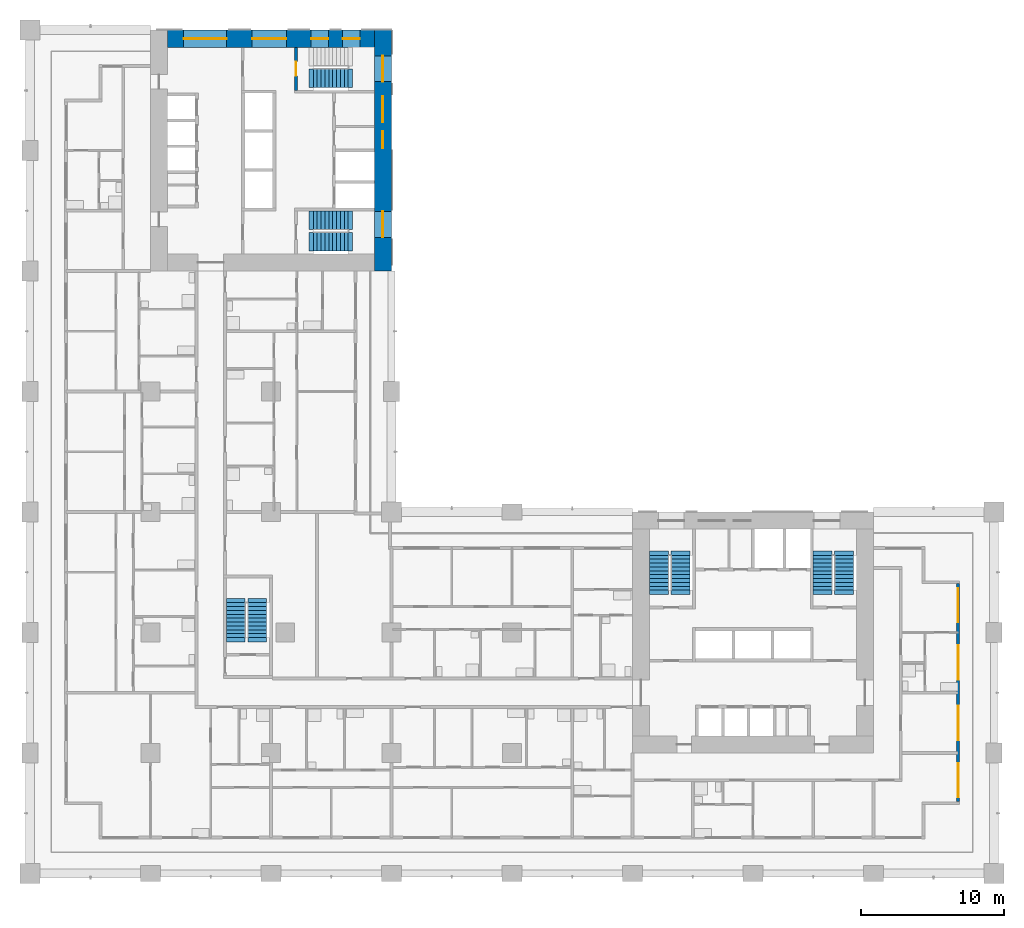
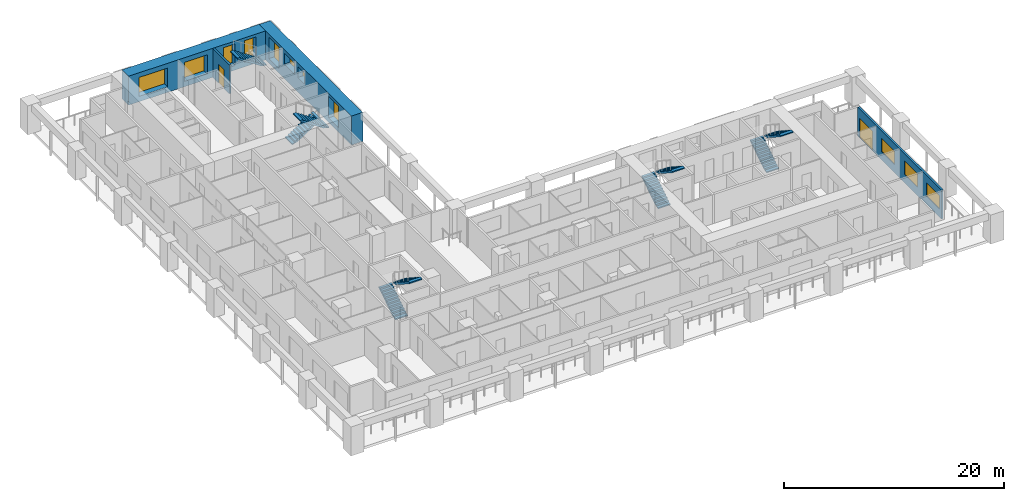
# One storey, part 10 of 19: 11 windows, 9 stair flights, 4 walls, 2 doors, 13 openings, 5 elements without a shape of their own.
"""IFC4 building model written with IfcOpenShell, lengths in metres."""

from ifc_helpers import new_model, si_unit, direction, frame, frame_2d, origin, place, context, subcontext, project, spatial, polyline, rectangle, outline, extrude, material, layer, layer_set, type_object, element, fill, aggregate, save


model = new_model("IFC4")

# Units and contexts
model_context = context("Model", 3, precision=1e-05, world=origin(), true_north=direction((0.0, 1.0)))
body_context = subcontext(model_context, "Body", "Model", "MODEL_VIEW")
ifc_project = project(units=[si_unit("LENGTHUNIT", "METRE"), si_unit("AREAUNIT", "SQUARE_METRE"), si_unit("VOLUMEUNIT", "CUBIC_METRE"), si_unit("PLANEANGLEUNIT", "RADIAN"), si_unit("MASSUNIT", "GRAM", prefix="KILO")], contexts=[model_context])

# Site, building, storey
site_placement = place(None, origin())
site = spatial("IfcSite", under=ifc_project, at=site_placement, CompositionType="ELEMENT")
building_placement = place(site_placement, origin())
building = spatial("IfcBuilding", under=site, at=building_placement, Name="Vermilion Gate Residences", CompositionType="ELEMENT")
storey_placement = place(building_placement, frame((0.0, 0.0, 46.199951171875)))
storey = spatial("IfcBuildingStorey", under=building, at=storey_placement, Name="L10", CompositionType="ELEMENT", Elevation=46.199951171875)

# Wall, openings, door, windows
ifc_material_1 = material(Name="Insulated steel stud wall with terracotta rainscreen", Category="masonry")
ifc_layer_1 = layer(ifc_material_1, 0.199951171875)
ifc_layer_set_1 = layer_set([ifc_layer_1], Name="EXTERNAL WALL 200 TERRACOTTA RAINSCREEN")
wall_type_1 = type_object("IfcWallType", Name="EXTERNAL WALL 200 TERRACOTTA RAINSCREEN", PredefinedType="SOLIDWALL", material=ifc_layer_set_1)
wall_1_placement = place(storey_placement, frame((64.699951171875, 5.0, 0.0), z_axis=(0.0, 0.0, 1.0), x_axis=(0.0, 1.0, 0.0)))
wall_1 = element("IfcWall", 1, at=wall_1_placement, inside=storey, type_object=wall_type_1, Name="External wall", PredefinedType="SOLIDWALL", context=body_context, shape_type="SweptSolid", body=[
    extrude(rectangle(XDim=15.199951171875, YDim=0.199951171875, at=frame_2d((7.60009765625, 0.0))), origin(), (0.0, 0.0, 1.0), 3.219970703125),
])
opening_1_placement = place(wall_1_placement, frame((0.300048828125, 0.0, 0.89990234375)))
opening_1 = element("IfcOpeningElement", 2, at=opening_1_placement, cuts=wall_1, Name="Opening WE10028", PredefinedType="OPENING", context=body_context, shape_type="SweptSolid", body=[
    extrude(rectangle(XDim=2.39990234375, YDim=1.5, at=frame_2d((1.199951171875, 0.75))), frame((0.0, 0.10986328125, 0.0), z_axis=(0.0, -1.0, 0.0), x_axis=(1.0, 0.0, 0.0)), (0.0, 0.0, 1.0), 0.219970703125),
])
opening_2_placement = place(wall_1_placement, frame((4.300048828125, 0.0, 0.89990234375)))
opening_2 = element("IfcOpeningElement", 3, at=opening_2_placement, cuts=wall_1, Name="Opening WE10029", PredefinedType="OPENING", context=body_context, shape_type="SweptSolid", body=[
    extrude(rectangle(XDim=2.39990234375, YDim=1.5, at=frame_2d((1.199951171875, 0.75))), frame((0.0, 0.10986328125, 0.0), z_axis=(0.0, -1.0, 0.0), x_axis=(1.0, 0.0, 0.0)), (0.0, 0.0, 1.0), 0.219970703125),
])
opening_3_placement = place(wall_1_placement, frame((8.5, 0.0, 0.89990234375)))
opening_3 = element("IfcOpeningElement", 4, at=opening_3_placement, cuts=wall_1, Name="Opening WE10030", PredefinedType="OPENING", context=body_context, shape_type="SweptSolid", body=[
    extrude(rectangle(XDim=2.39990234375, YDim=1.5, at=frame_2d((1.199951171875, 0.75))), frame((0.0, 0.10986328125, 0.0), z_axis=(0.0, -1.0, 0.0), x_axis=(1.0, 0.0, 0.0)), (0.0, 0.0, 1.0), 0.219970703125),
])
opening_4_placement = place(wall_1_placement, frame((12.5, 0.0, 0.0)))
opening_4 = element("IfcOpeningElement", 5, at=opening_4_placement, cuts=wall_1, Name="Opening DE10031", PredefinedType="OPENING", context=body_context, shape_type="SweptSolid", body=[
    extrude(rectangle(XDim=2.39990234375, YDim=2.199951171875, at=frame_2d((1.199951171875, 1.10009765625))), frame((0.0, 0.10986328125, 0.0), z_axis=(0.0, -1.0, 0.0), x_axis=(1.0, 0.0, 0.0)), (0.0, 0.0, 1.0), 0.219970703125),
])
ifc_material_2 = material(Name="Aluminium and clear glass", Category="aluminium")
door_type_1 = type_object("IfcDoorType", Name="SLIDING GLAZED DOOR 2400 X 2200", OperationType="DOUBLE_DOOR_SLIDING", PredefinedType="DOOR", material=ifc_material_2)
door_1_placement = place(opening_4_placement, origin())
door_1 = element("IfcDoor", 6, at=door_1_placement, inside=storey, type_object=door_type_1, Name="Loggia sliding door", OperationType="DOUBLE_DOOR_SLIDING", OverallHeight=2.199951171875, OverallWidth=2.39990234375, PredefinedType="DOOR", context=body_context, shape_type="SweptSolid", body=[
    extrude(rectangle(XDim=2.39990234375, YDim=2.199951171875, at=frame_2d((1.199951171875, 1.10009765625))), frame((0.0, 0.02490234375, 0.0), z_axis=(0.0, -1.0, 0.0), x_axis=(1.0, 0.0, 0.0)), (0.0, 0.0, 1.0), 0.050048828125),
])
fill(opening_4, door_1)
ifc_material_3 = material(Name="Aluminium and clear glass", Category="aluminium")
window_type_1 = type_object("IfcWindowType", Name="WINDOW 2400 X 1500", PartitioningType="SINGLE_PANEL", PredefinedType="WINDOW", material=ifc_material_3)
window_1_placement = place(opening_1_placement, origin())
window_1 = element("IfcWindow", 7, at=window_1_placement, inside=storey, type_object=window_type_1, Name="Window", OverallHeight=1.5, OverallWidth=2.39990234375, PartitioningType="SINGLE_PANEL", PredefinedType="WINDOW", context=body_context, shape_type="SweptSolid", body=[
    extrude(rectangle(XDim=2.39990234375, YDim=1.5, at=frame_2d((1.199951171875, 0.75))), frame((0.0, 0.030029296875, 0.0), z_axis=(0.0, -1.0, 0.0), x_axis=(1.0, 0.0, 0.0)), (0.0, 0.0, 1.0), 0.06005859375),
])
fill(opening_1, window_1)
window_2_placement = place(opening_2_placement, origin())
window_2 = element("IfcWindow", 8, at=window_2_placement, inside=storey, type_object=window_type_1, Name="Window", OverallHeight=1.5, OverallWidth=2.39990234375, PartitioningType="SINGLE_PANEL", PredefinedType="WINDOW", context=body_context, shape_type="SweptSolid", body=[
    extrude(rectangle(XDim=2.39990234375, YDim=1.5, at=frame_2d((1.199951171875, 0.75))), frame((0.0, 0.030029296875, 0.0), z_axis=(0.0, -1.0, 0.0), x_axis=(1.0, 0.0, 0.0)), (0.0, 0.0, 1.0), 0.06005859375),
])
fill(opening_2, window_2)
window_3_placement = place(opening_3_placement, origin())
window_3 = element("IfcWindow", 9, at=window_3_placement, inside=storey, type_object=window_type_1, Name="Window", OverallHeight=1.5, OverallWidth=2.39990234375, PartitioningType="SINGLE_PANEL", PredefinedType="WINDOW", context=body_context, shape_type="SweptSolid", body=[
    extrude(rectangle(XDim=2.39990234375, YDim=1.5, at=frame_2d((1.199951171875, 0.75))), frame((0.0, 0.030029296875, 0.0), z_axis=(0.0, -1.0, 0.0), x_axis=(1.0, 0.0, 0.0)), (0.0, 0.0, 1.0), 0.06005859375),
])
fill(opening_3, window_3)

# Wall, opening, door
ifc_material_4 = material(Name="Concrete C60", Category="concrete")
ifc_layer_2 = layer(ifc_material_4, 0.199951171875)
ifc_layer_set_2 = layer_set([ifc_layer_2], Name="RC CORE INTERNAL WALL 200 C60")
wall_type_2 = type_object("IfcWallType", Name="RC CORE INTERNAL WALL 200 C60", PredefinedType="SHEAR", material=ifc_layer_set_2)
wall_2_placement = place(storey_placement, frame((18.550048828125, 57.60009765625, 0.0), z_axis=(0.0, 0.0, 1.0), x_axis=(0.0, -1.0, 0.0)))
wall_2 = element("IfcWall", 10, at=wall_2_placement, inside=storey, type_object=wall_type_2, Name="Core internal wall B10-STW-S", PredefinedType="SHEAR", context=body_context, shape_type="SweptSolid", body=[
    extrude(rectangle(XDim=3.0, YDim=0.199951171875, at=frame_2d((1.5, 0.0))), origin(), (0.0, 0.0, 1.0), 3.219970703125),
])
opening_5_placement = place(wall_2_placement, frame((1.0, 0.0, 0.0)))
opening_5 = element("IfcOpeningElement", 11, at=opening_5_placement, cuts=wall_2, Name="Opening DK10114", PredefinedType="OPENING", context=body_context, shape_type="SweptSolid", body=[
    extrude(rectangle(XDim=1.0, YDim=2.10009765625, at=frame_2d((0.5, 1.050048828125))), frame((0.0, 0.10986328125, 0.0), z_axis=(0.0, -1.0, 0.0), x_axis=(1.0, 0.0, 0.0)), (0.0, 0.0, 1.0), 0.219970703125),
])
ifc_material_5 = material(Name="Steel", Category="steel")
door_type_2 = type_object("IfcDoorType", Name="FIRE DOOR FD60 1000 X 2100", OperationType="SINGLE_SWING_LEFT", PredefinedType="DOOR", material=ifc_material_5)
door_2_placement = place(opening_5_placement, origin())
door_2 = element("IfcDoor", 12, at=door_2_placement, inside=storey, type_object=door_type_2, Name="Stair door B10", OperationType="SINGLE_SWING_LEFT", OverallHeight=2.10009765625, OverallWidth=1.0, PredefinedType="DOOR", context=body_context, shape_type="SweptSolid", body=[
    extrude(rectangle(XDim=1.0, YDim=2.10009765625, at=frame_2d((0.5, 1.050048828125))), frame((0.0, 0.02490234375, 0.0), z_axis=(0.0, -1.0, 0.0), x_axis=(1.0, 0.0, 0.0)), (0.0, 0.0, 1.0), 0.050048828125),
])
fill(opening_5, door_2)

# Wall, openings, windows
ifc_material_6 = material(Name="Concrete C80 red-oxide pigmented", Category="concrete")
ifc_layer_3 = layer(ifc_material_6, 1.199951171875)
ifc_layer_set_3 = layer_set([ifc_layer_3], Name="RC CORE WALL 1200 C80 RED OXIDE")
wall_type_3 = type_object("IfcWallType", Name="RC CORE WALL 1200 C80 RED OXIDE", PredefinedType="SHEAR", material=ifc_layer_set_3)
wall_3_placement = place(storey_placement, frame((24.60009765625, 58.800048828125, 0.0), z_axis=(0.0, 0.0, 1.0), x_axis=(0.0, -1.0, 0.0)))
wall_3 = element("IfcWall", 13, at=wall_3_placement, inside=storey, type_object=wall_type_3, Name="Core wall B10-OUT-B1", PredefinedType="SHEAR", context=body_context, shape_type="SweptSolid", body=[
    extrude(rectangle(XDim=16.800048828125, YDim=1.199951171875, at=frame_2d((8.39990234375, 0.0))), origin(), (0.0, 0.0, 1.0), 3.219970703125),
])
opening_6_placement = place(wall_3_placement, frame((1.800048828125, 0.0, 0.5)))
opening_6 = element("IfcOpeningElement", 14, at=opening_6_placement, cuts=wall_3, Name="Opening WKB1001", PredefinedType="OPENING", context=body_context, shape_type="SweptSolid", body=[
    extrude(rectangle(XDim=1.800048828125, YDim=2.39990234375, at=frame_2d((0.89990234375, 1.199951171875))), frame((0.0, 0.60986328125, 0.0), z_axis=(0.0, -1.0, 0.0), x_axis=(1.0, 0.0, 0.0)), (0.0, 0.0, 1.0), 1.219970703125),
])
opening_7_placement = place(wall_3_placement, frame((4.625, 0.0, 1.60009765625)))
opening_7 = element("IfcOpeningElement", 15, at=opening_7_placement, cuts=wall_3, Name="Opening WKB1002", PredefinedType="OPENING", context=body_context, shape_type="SweptSolid", body=[
    extrude(rectangle(XDim=1.800048828125, YDim=1.199951171875, at=frame_2d((0.89990234375, 0.60009765625))), frame((0.0, 0.60986328125, 0.0), z_axis=(0.0, -1.0, 0.0), x_axis=(1.0, 0.0, 0.0)), (0.0, 0.0, 1.0), 1.219970703125),
])
opening_8_placement = place(wall_3_placement, frame((7.050048828125, 0.0, 1.60009765625)))
opening_8 = element("IfcOpeningElement", 16, at=opening_8_placement, cuts=wall_3, Name="Opening WKB1003", PredefinedType="OPENING", context=body_context, shape_type="SweptSolid", body=[
    extrude(rectangle(XDim=1.199951171875, YDim=1.199951171875, at=frame_2d((0.60009765625, 0.60009765625))), frame((0.0, 0.60986328125, 0.0), z_axis=(0.0, -1.0, 0.0), x_axis=(1.0, 0.0, 0.0)), (0.0, 0.0, 1.0), 1.219970703125),
])
opening_9_placement = place(wall_3_placement, frame((12.64990234375, 0.0, 0.5)))
opening_9 = element("IfcOpeningElement", 17, at=opening_9_placement, cuts=wall_3, Name="Opening WKB1004", PredefinedType="OPENING", context=body_context, shape_type="SweptSolid", body=[
    extrude(rectangle(XDim=1.800048828125, YDim=2.39990234375, at=frame_2d((0.89990234375, 1.199951171875))), frame((0.0, 0.60986328125, 0.0), z_axis=(0.0, -1.0, 0.0), x_axis=(1.0, 0.0, 0.0)), (0.0, 0.0, 1.0), 1.219970703125),
])
ifc_material_7 = material(Name="Aluminium frame with louvre blades", Category="aluminium")
window_type_2 = type_object("IfcWindowType", Name="CORE LOUVRE 1200 X 1200", PartitioningType="SINGLE_PANEL", PredefinedType="WINDOW", material=ifc_material_7)
window_4_placement = place(opening_8_placement, origin())
window_4 = element("IfcWindow", 18, at=window_4_placement, inside=storey, type_object=window_type_2, Name="Core louvre", OverallHeight=1.199951171875, OverallWidth=1.199951171875, PartitioningType="SINGLE_PANEL", PredefinedType="WINDOW", context=body_context, shape_type="SweptSolid", body=[
    extrude(rectangle(XDim=1.199951171875, YDim=1.199951171875, at=frame_2d((0.60009765625, 0.60009765625))), frame((0.0, 0.030029296875, 0.0), z_axis=(0.0, -1.0, 0.0), x_axis=(1.0, 0.0, 0.0)), (0.0, 0.0, 1.0), 0.06005859375),
])
fill(opening_8, window_4)
ifc_material_8 = material(Name="Aluminium frame with louvre blades", Category="aluminium")
window_type_3 = type_object("IfcWindowType", Name="CORE LOUVRE 1800 X 1200", PartitioningType="SINGLE_PANEL", PredefinedType="WINDOW", material=ifc_material_8)
window_5_placement = place(opening_7_placement, origin())
window_5 = element("IfcWindow", 19, at=window_5_placement, inside=storey, type_object=window_type_3, Name="Core louvre", OverallHeight=1.199951171875, OverallWidth=1.800048828125, PartitioningType="SINGLE_PANEL", PredefinedType="WINDOW", context=body_context, shape_type="SweptSolid", body=[
    extrude(rectangle(XDim=1.800048828125, YDim=1.199951171875, at=frame_2d((0.89990234375, 0.60009765625))), frame((0.0, 0.030029296875, 0.0), z_axis=(0.0, -1.0, 0.0), x_axis=(1.0, 0.0, 0.0)), (0.0, 0.0, 1.0), 0.06005859375),
])
fill(opening_7, window_5)
ifc_material_9 = material(Name="Aluminium and clear glass", Category="aluminium")
window_type_4 = type_object("IfcWindowType", Name="CORE STAIR WINDOW 1800 X 2400", PartitioningType="SINGLE_PANEL", PredefinedType="WINDOW", material=ifc_material_9)
window_6_placement = place(opening_6_placement, origin())
window_6 = element("IfcWindow", 20, at=window_6_placement, inside=storey, type_object=window_type_4, Name="Core stair window", OverallHeight=2.39990234375, OverallWidth=1.800048828125, PartitioningType="SINGLE_PANEL", PredefinedType="WINDOW", context=body_context, shape_type="SweptSolid", body=[
    extrude(rectangle(XDim=1.800048828125, YDim=2.39990234375, at=frame_2d((0.89990234375, 1.199951171875))), frame((0.0, 0.030029296875, 0.0), z_axis=(0.0, -1.0, 0.0), x_axis=(1.0, 0.0, 0.0)), (0.0, 0.0, 1.0), 0.06005859375),
])
fill(opening_6, window_6)
window_7_placement = place(opening_9_placement, origin())
window_7 = element("IfcWindow", 21, at=window_7_placement, inside=storey, type_object=window_type_4, Name="Core stair window", OverallHeight=2.39990234375, OverallWidth=1.800048828125, PartitioningType="SINGLE_PANEL", PredefinedType="WINDOW", context=body_context, shape_type="SweptSolid", body=[
    extrude(rectangle(XDim=1.800048828125, YDim=2.39990234375, at=frame_2d((0.89990234375, 1.199951171875))), frame((0.0, 0.030029296875, 0.0), z_axis=(0.0, -1.0, 0.0), x_axis=(1.0, 0.0, 0.0)), (0.0, 0.0, 1.0), 0.06005859375),
])
fill(opening_9, window_7)

wall_4_placement = place(storey_placement, frame((9.60009765625, 58.199951171875, 0.0), z_axis=(0.0, 0.0, 1.0), x_axis=(1.0, 0.0, 0.0)))
wall_4 = element("IfcWall", 22, at=wall_4_placement, inside=storey, type_object=wall_type_3, Name="Core wall B10-OUT-FR", PredefinedType="SHEAR", context=body_context, shape_type="SweptSolid", body=[
    extrude(rectangle(XDim=14.39990234375, YDim=1.199951171875, at=frame_2d((7.199951171875, 0.0))), origin(), (0.0, 0.0, 1.0), 3.219970703125),
])
opening_10_placement = place(wall_4_placement, frame((1.10498046875, 0.0, 0.60009765625)))
opening_10 = element("IfcOpeningElement", 23, at=opening_10_placement, cuts=wall_4, Name="Opening WKB1005", PredefinedType="OPENING", context=body_context, shape_type="SweptSolid", body=[
    extrude(rectangle(XDim=3.0, YDim=2.10009765625, at=frame_2d((1.5, 1.050048828125))), frame((0.0, 0.60986328125, 0.0), z_axis=(0.0, -1.0, 0.0), x_axis=(1.0, 0.0, 0.0)), (0.0, 0.0, 1.0), 1.219970703125),
])
opening_11_placement = place(wall_4_placement, frame((5.875, 0.0, 0.60009765625)))
opening_11 = element("IfcOpeningElement", 24, at=opening_11_placement, cuts=wall_4, Name="Opening WKB1006", PredefinedType="OPENING", context=body_context, shape_type="SweptSolid", body=[
    extrude(rectangle(XDim=2.39990234375, YDim=2.10009765625, at=frame_2d((1.199951171875, 1.050048828125))), frame((0.0, 0.60986328125, 0.0), z_axis=(0.0, -1.0, 0.0), x_axis=(1.0, 0.0, 0.0)), (0.0, 0.0, 1.0), 1.219970703125),
])
opening_12_placement = place(wall_4_placement, frame((9.993408203125, 0.0, 0.5)))
opening_12 = element("IfcOpeningElement", 25, at=opening_12_placement, cuts=wall_4, Name="Opening WKB1007", PredefinedType="OPENING", context=body_context, shape_type="SweptSolid", body=[
    extrude(rectangle(XDim=1.199951171875, YDim=2.39990234375, at=frame_2d((0.60009765625, 1.199951171875))), frame((0.0, 0.60986328125, 0.0), z_axis=(0.0, -1.0, 0.0), x_axis=(1.0, 0.0, 0.0)), (0.0, 0.0, 1.0), 1.219970703125),
])
opening_13_placement = place(wall_4_placement, frame((12.19677734375, 0.0, 0.5)))
opening_13 = element("IfcOpeningElement", 26, at=opening_13_placement, cuts=wall_4, Name="Opening WKB1008", PredefinedType="OPENING", context=body_context, shape_type="SweptSolid", body=[
    extrude(rectangle(XDim=1.199951171875, YDim=2.39990234375, at=frame_2d((0.60009765625, 1.199951171875))), frame((0.0, 0.60986328125, 0.0), z_axis=(0.0, -1.0, 0.0), x_axis=(1.0, 0.0, 0.0)), (0.0, 0.0, 1.0), 1.219970703125),
])
ifc_material_10 = material(Name="Aluminium and clear glass", Category="aluminium")
window_type_5 = type_object("IfcWindowType", Name="CORE LOBBY WINDOW 2400 X 2100", PartitioningType="SINGLE_PANEL", PredefinedType="WINDOW", material=ifc_material_10)
window_8_placement = place(opening_11_placement, origin())
window_8 = element("IfcWindow", 27, at=window_8_placement, inside=storey, type_object=window_type_5, Name="Core lobby window", OverallHeight=2.10009765625, OverallWidth=2.39990234375, PartitioningType="SINGLE_PANEL", PredefinedType="WINDOW", context=body_context, shape_type="SweptSolid", body=[
    extrude(rectangle(XDim=2.39990234375, YDim=2.10009765625, at=frame_2d((1.199951171875, 1.050048828125))), frame((0.0, 0.030029296875, 0.0), z_axis=(0.0, -1.0, 0.0), x_axis=(1.0, 0.0, 0.0)), (0.0, 0.0, 1.0), 0.06005859375),
])
fill(opening_11, window_8)
ifc_material_11 = material(Name="Aluminium and clear glass", Category="aluminium")
window_type_6 = type_object("IfcWindowType", Name="CORE LOBBY WINDOW 3000 X 2100", PartitioningType="SINGLE_PANEL", PredefinedType="WINDOW", material=ifc_material_11)
window_9_placement = place(opening_10_placement, origin())
window_9 = element("IfcWindow", 28, at=window_9_placement, inside=storey, type_object=window_type_6, Name="Core lobby window", OverallHeight=2.10009765625, OverallWidth=3.0, PartitioningType="SINGLE_PANEL", PredefinedType="WINDOW", context=body_context, shape_type="SweptSolid", body=[
    extrude(rectangle(XDim=3.0, YDim=2.10009765625, at=frame_2d((1.5, 1.050048828125))), frame((0.0, 0.030029296875, 0.0), z_axis=(0.0, -1.0, 0.0), x_axis=(1.0, 0.0, 0.0)), (0.0, 0.0, 1.0), 0.06005859375),
])
fill(opening_10, window_9)
ifc_material_12 = material(Name="Aluminium and clear glass", Category="aluminium")
window_type_7 = type_object("IfcWindowType", Name="CORE STAIR WINDOW 1200 X 2400", PartitioningType="SINGLE_PANEL", PredefinedType="WINDOW", material=ifc_material_12)
window_10_placement = place(opening_12_placement, origin())
window_10 = element("IfcWindow", 29, at=window_10_placement, inside=storey, type_object=window_type_7, Name="Core stair window", OverallHeight=2.39990234375, OverallWidth=1.199951171875, PartitioningType="SINGLE_PANEL", PredefinedType="WINDOW", context=body_context, shape_type="SweptSolid", body=[
    extrude(rectangle(XDim=1.199951171875, YDim=2.39990234375, at=frame_2d((0.60009765625, 1.199951171875))), frame((0.0, 0.030029296875, 0.0), z_axis=(0.0, -1.0, 0.0), x_axis=(1.0, 0.0, 0.0)), (0.0, 0.0, 1.0), 0.06005859375),
])
fill(opening_12, window_10)
window_11_placement = place(opening_13_placement, origin())
window_11 = element("IfcWindow", 30, at=window_11_placement, inside=storey, type_object=window_type_7, Name="Core stair window", OverallHeight=2.39990234375, OverallWidth=1.199951171875, PartitioningType="SINGLE_PANEL", PredefinedType="WINDOW", context=body_context, shape_type="SweptSolid", body=[
    extrude(rectangle(XDim=1.199951171875, YDim=2.39990234375, at=frame_2d((0.60009765625, 1.199951171875))), frame((0.0, 0.030029296875, 0.0), z_axis=(0.0, -1.0, 0.0), x_axis=(1.0, 0.0, 0.0)), (0.0, 0.0, 1.0), 0.06005859375),
])
fill(opening_13, window_11)

# Stair, stair flights
ifc_material_13 = material(Name="Concrete C50", Category="concrete")
stair_type = type_object("IfcStairType", Name="SPECIAL ESCAPE STAIR 1300", PredefinedType="HALF_TURN_STAIR", material=ifc_material_13)
stair_1_placement = place(storey_placement, origin())
stair_1 = element("IfcStair", 31, at=stair_1_placement, inside=storey, type_object=stair_type, Name="Special escape stair STA1-10", PredefinedType="HALF_TURN_STAIR")
ifc_material_14 = material(Name="Concrete C50", Category="concrete")
stair_flight_type = type_object("IfcStairFlightType", Name="STAIR FLIGHT 1300 RC C50", PredefinedType="STRAIGHT", material=ifc_material_14)
stair_flight_1_placement = place(storey_placement, frame((43.85009765625, 19.75, 0.0), z_axis=(0.0, 0.0, 1.0), x_axis=(0.0, 1.0, 0.0)))
stair_flight_1 = element("IfcStairFlight", 32, at=stair_flight_1_placement, type_object=stair_flight_type, Name="STA1-10 flight 1", NumberOfRisers=10, NumberOfTreads=9, PredefinedType="STRAIGHT", RiserHeight=0.175, TreadLength=0.27, context=body_context, shape_type="SweptSolid", body=[
    extrude(outline(polyline([(-0.300048828125, -0.14990234375), (-0.300048828125, -0.030029296875), (0.0, 0.0), (0.0, 0.175048828125), (0.27001953125, 0.175048828125), (0.27001953125, 0.35009765625), (0.5400390625, 0.35009765625), (0.5400390625, 0.52490234375), (0.81005859375, 0.52490234375), (0.81005859375, 0.699951171875), (1.080078125, 0.699951171875), (1.080078125, 0.875), (1.35009765625, 0.875), (1.35009765625, 1.050048828125), (1.6201171875, 1.050048828125), (1.6201171875, 1.22509765625), (1.889892578125, 1.22509765625), (1.889892578125, 1.39990234375), (2.159912109375, 1.39990234375), (2.159912109375, 1.574951171875), (2.429931640625, 1.574951171875), (2.429931640625, 1.75), (2.72998046875, 1.719970703125), (2.72998046875, 1.60009765625), (2.429931640625, 1.396484375), (0.275634765625, 0.0), (-0.300048828125, -0.14990234375)])), frame((0.0, 0.64990234375, 0.0), z_axis=(0.0, -1.0, 0.0), x_axis=(1.0, 0.0, 0.0)), (0.0, 0.0, 1.0), 1.300048828125),
])
stair_flight_2_placement = place(storey_placement, frame((45.35009765625, 22.179931640625, 1.75), z_axis=(0.0, 0.0, 1.0), x_axis=(0.0, -1.0, 0.0)))
stair_flight_2 = element("IfcStairFlight", 33, at=stair_flight_2_placement, type_object=stair_flight_type, Name="STA1-10 flight 2", NumberOfRisers=10, NumberOfTreads=9, PredefinedType="STRAIGHT", RiserHeight=0.175, TreadLength=0.27, context=body_context, shape_type="SweptSolid", body=[
    extrude(outline(polyline([(-0.300048828125, -0.14990234375), (-0.300048828125, -0.030029296875), (0.0, 0.0), (0.0, 0.175048828125), (0.27001953125, 0.175048828125), (0.27001953125, 0.35009765625), (0.5400390625, 0.35009765625), (0.5400390625, 0.52490234375), (0.81005859375, 0.52490234375), (0.81005859375, 0.699951171875), (1.080078125, 0.699951171875), (1.080078125, 0.875), (1.35009765625, 0.875), (1.35009765625, 1.050048828125), (1.6201171875, 1.050048828125), (1.6201171875, 1.22509765625), (1.889892578125, 1.22509765625), (1.889892578125, 1.39990234375), (2.159912109375, 1.39990234375), (2.159912109375, 1.574951171875), (2.429931640625, 1.574951171875), (2.429931640625, 1.75), (2.72998046875, 1.719970703125), (2.72998046875, 1.60009765625), (2.429931640625, 1.396484375), (0.275634765625, 0.0), (-0.300048828125, -0.14990234375)])), frame((0.0, 0.64990234375, 0.0), z_axis=(0.0, -1.0, 0.0), x_axis=(1.0, 0.0, 0.0)), (0.0, 0.0, 1.0), 1.300048828125),
])
aggregate(stair_1, [stair_flight_1, stair_flight_2])

stair_2_placement = place(storey_placement, origin())
stair_2 = element("IfcStair", 34, at=stair_2_placement, inside=storey, type_object=stair_type, Name="Special escape stair STA2-10", PredefinedType="HALF_TURN_STAIR")
stair_flight_3_placement = place(storey_placement, frame((55.25, 19.75, 0.0), z_axis=(0.0, 0.0, 1.0), x_axis=(0.0, 1.0, 0.0)))
stair_flight_3 = element("IfcStairFlight", 35, at=stair_flight_3_placement, type_object=stair_flight_type, Name="STA2-10 flight 1", NumberOfRisers=10, NumberOfTreads=9, PredefinedType="STRAIGHT", RiserHeight=0.175, TreadLength=0.27, context=body_context, shape_type="SweptSolid", body=[
    extrude(outline(polyline([(-0.300048828125, -0.14990234375), (-0.300048828125, -0.030029296875), (0.0, 0.0), (0.0, 0.175048828125), (0.27001953125, 0.175048828125), (0.27001953125, 0.35009765625), (0.5400390625, 0.35009765625), (0.5400390625, 0.52490234375), (0.81005859375, 0.52490234375), (0.81005859375, 0.699951171875), (1.080078125, 0.699951171875), (1.080078125, 0.875), (1.35009765625, 0.875), (1.35009765625, 1.050048828125), (1.6201171875, 1.050048828125), (1.6201171875, 1.22509765625), (1.889892578125, 1.22509765625), (1.889892578125, 1.39990234375), (2.159912109375, 1.39990234375), (2.159912109375, 1.574951171875), (2.429931640625, 1.574951171875), (2.429931640625, 1.75), (2.72998046875, 1.719970703125), (2.72998046875, 1.60009765625), (2.429931640625, 1.396484375), (0.275634765625, 0.0), (-0.300048828125, -0.14990234375)])), frame((0.0, 0.64990234375, 0.0), z_axis=(0.0, -1.0, 0.0), x_axis=(1.0, 0.0, 0.0)), (0.0, 0.0, 1.0), 1.300048828125),
])
stair_flight_4_placement = place(storey_placement, frame((56.75, 22.179931640625, 1.75), z_axis=(0.0, 0.0, 1.0), x_axis=(0.0, -1.0, 0.0)))
stair_flight_4 = element("IfcStairFlight", 36, at=stair_flight_4_placement, type_object=stair_flight_type, Name="STA2-10 flight 2", NumberOfRisers=10, NumberOfTreads=9, PredefinedType="STRAIGHT", RiserHeight=0.175, TreadLength=0.27, context=body_context, shape_type="SweptSolid", body=[
    extrude(outline(polyline([(-0.300048828125, -0.14990234375), (-0.300048828125, -0.030029296875), (0.0, 0.0), (0.0, 0.175048828125), (0.27001953125, 0.175048828125), (0.27001953125, 0.35009765625), (0.5400390625, 0.35009765625), (0.5400390625, 0.52490234375), (0.81005859375, 0.52490234375), (0.81005859375, 0.699951171875), (1.080078125, 0.699951171875), (1.080078125, 0.875), (1.35009765625, 0.875), (1.35009765625, 1.050048828125), (1.6201171875, 1.050048828125), (1.6201171875, 1.22509765625), (1.889892578125, 1.22509765625), (1.889892578125, 1.39990234375), (2.159912109375, 1.39990234375), (2.159912109375, 1.574951171875), (2.429931640625, 1.574951171875), (2.429931640625, 1.75), (2.72998046875, 1.719970703125), (2.72998046875, 1.60009765625), (2.429931640625, 1.396484375), (0.275634765625, 0.0), (-0.300048828125, -0.14990234375)])), frame((0.0, 0.64990234375, 0.0), z_axis=(0.0, -1.0, 0.0), x_axis=(1.0, 0.0, 0.0)), (0.0, 0.0, 1.0), 1.300048828125),
])
aggregate(stair_2, [stair_flight_3, stair_flight_4])

# Stair, stair flight
stair_3_placement = place(storey_placement, origin())
stair_3 = element("IfcStair", 37, at=stair_3_placement, inside=storey, type_object=stair_type, Name="Special escape stair STB1-10", PredefinedType="HALF_TURN_STAIR")
stair_flight_5_placement = place(storey_placement, frame((22.179931640625, 55.449951171875, 1.75), z_axis=(0.0, 0.0, 1.0), x_axis=(-1.0, 0.0, 0.0)))
stair_flight_5 = element("IfcStairFlight", 38, at=stair_flight_5_placement, type_object=stair_flight_type, Name="STB1-10 flight 2", NumberOfRisers=10, NumberOfTreads=9, PredefinedType="STRAIGHT", RiserHeight=0.175, TreadLength=0.27, context=body_context, shape_type="SweptSolid", body=[
    extrude(outline(polyline([(-0.300048828125, -0.14990234375), (-0.300048828125, -0.030029296875), (0.0, 0.0), (0.0, 0.175048828125), (0.27001953125, 0.175048828125), (0.27001953125, 0.35009765625), (0.5400390625, 0.35009765625), (0.5400390625, 0.52490234375), (0.81005859375, 0.52490234375), (0.81005859375, 0.699951171875), (1.080078125, 0.699951171875), (1.080078125, 0.875), (1.35009765625, 0.875), (1.35009765625, 1.050048828125), (1.6201171875, 1.050048828125), (1.6201171875, 1.22509765625), (1.889892578125, 1.22509765625), (1.889892578125, 1.39990234375), (2.159912109375, 1.39990234375), (2.159912109375, 1.574951171875), (2.429931640625, 1.574951171875), (2.429931640625, 1.75), (2.72998046875, 1.719970703125), (2.72998046875, 1.60009765625), (2.429931640625, 1.396484375), (0.275634765625, 0.0), (-0.300048828125, -0.14990234375)])), frame((0.0, 0.64990234375, 0.0), z_axis=(0.0, -1.0, 0.0), x_axis=(1.0, 0.0, 0.0)), (0.0, 0.0, 1.0), 1.300048828125),
])
aggregate(stair_3, [stair_flight_5])

# Stair, stair flights
stair_4_placement = place(storey_placement, origin())
stair_4 = element("IfcStair", 39, at=stair_4_placement, inside=storey, type_object=stair_type, Name="Special escape stair STB2-10", PredefinedType="HALF_TURN_STAIR")
stair_flight_6_placement = place(storey_placement, frame((19.75, 45.550048828125, 0.0), z_axis=(0.0, 0.0, 1.0), x_axis=(1.0, 0.0, 0.0)))
stair_flight_6 = element("IfcStairFlight", 40, at=stair_flight_6_placement, type_object=stair_flight_type, Name="STB2-10 flight 1", NumberOfRisers=10, NumberOfTreads=9, PredefinedType="STRAIGHT", RiserHeight=0.175, TreadLength=0.27, context=body_context, shape_type="SweptSolid", body=[
    extrude(outline(polyline([(-0.300048828125, -0.14990234375), (-0.300048828125, -0.030029296875), (0.0, 0.0), (0.0, 0.175048828125), (0.27001953125, 0.175048828125), (0.27001953125, 0.35009765625), (0.5400390625, 0.35009765625), (0.5400390625, 0.52490234375), (0.81005859375, 0.52490234375), (0.81005859375, 0.699951171875), (1.080078125, 0.699951171875), (1.080078125, 0.875), (1.35009765625, 0.875), (1.35009765625, 1.050048828125), (1.6201171875, 1.050048828125), (1.6201171875, 1.22509765625), (1.889892578125, 1.22509765625), (1.889892578125, 1.39990234375), (2.159912109375, 1.39990234375), (2.159912109375, 1.574951171875), (2.429931640625, 1.574951171875), (2.429931640625, 1.75), (2.72998046875, 1.719970703125), (2.72998046875, 1.60009765625), (2.429931640625, 1.396484375), (0.275634765625, 0.0), (-0.300048828125, -0.14990234375)])), frame((0.0, 0.64990234375, 0.0), z_axis=(0.0, -1.0, 0.0), x_axis=(1.0, 0.0, 0.0)), (0.0, 0.0, 1.0), 1.300048828125),
])
stair_flight_7_placement = place(storey_placement, frame((22.179931640625, 44.050048828125, 1.75), z_axis=(0.0, 0.0, 1.0), x_axis=(-1.0, 0.0, 0.0)))
stair_flight_7 = element("IfcStairFlight", 41, at=stair_flight_7_placement, type_object=stair_flight_type, Name="STB2-10 flight 2", NumberOfRisers=10, NumberOfTreads=9, PredefinedType="STRAIGHT", RiserHeight=0.175, TreadLength=0.27, context=body_context, shape_type="SweptSolid", body=[
    extrude(outline(polyline([(-0.300048828125, -0.14990234375), (-0.300048828125, -0.030029296875), (0.0, 0.0), (0.0, 0.175048828125), (0.27001953125, 0.175048828125), (0.27001953125, 0.35009765625), (0.5400390625, 0.35009765625), (0.5400390625, 0.52490234375), (0.81005859375, 0.52490234375), (0.81005859375, 0.699951171875), (1.080078125, 0.699951171875), (1.080078125, 0.875), (1.35009765625, 0.875), (1.35009765625, 1.050048828125), (1.6201171875, 1.050048828125), (1.6201171875, 1.22509765625), (1.889892578125, 1.22509765625), (1.889892578125, 1.39990234375), (2.159912109375, 1.39990234375), (2.159912109375, 1.574951171875), (2.429931640625, 1.574951171875), (2.429931640625, 1.75), (2.72998046875, 1.719970703125), (2.72998046875, 1.60009765625), (2.429931640625, 1.396484375), (0.275634765625, 0.0), (-0.300048828125, -0.14990234375)])), frame((0.0, 0.64990234375, 0.0), z_axis=(0.0, -1.0, 0.0), x_axis=(1.0, 0.0, 0.0)), (0.0, 0.0, 1.0), 1.300048828125),
])
aggregate(stair_4, [stair_flight_6, stair_flight_7])

stair_5_placement = place(storey_placement, origin())
stair_5 = element("IfcStair", 42, at=stair_5_placement, inside=storey, type_object=stair_type, Name="Special escape stair STC1-10", PredefinedType="HALF_TURN_STAIR")
stair_flight_8_placement = place(storey_placement, frame((14.35009765625, 16.449951171875, 0.0), z_axis=(0.0, 0.0, 1.0), x_axis=(0.0, 1.0, 0.0)))
stair_flight_8 = element("IfcStairFlight", 43, at=stair_flight_8_placement, type_object=stair_flight_type, Name="STC1-10 flight 1", NumberOfRisers=10, NumberOfTreads=9, PredefinedType="STRAIGHT", RiserHeight=0.175, TreadLength=0.27, context=body_context, shape_type="SweptSolid", body=[
    extrude(outline(polyline([(-0.300048828125, -0.14990234375), (-0.300048828125, -0.030029296875), (0.0, 0.0), (0.0, 0.175048828125), (0.27001953125, 0.175048828125), (0.27001953125, 0.35009765625), (0.5400390625, 0.35009765625), (0.5400390625, 0.52490234375), (0.81005859375, 0.52490234375), (0.81005859375, 0.699951171875), (1.080078125, 0.699951171875), (1.080078125, 0.875), (1.35009765625, 0.875), (1.35009765625, 1.050048828125), (1.6201171875, 1.050048828125), (1.6201171875, 1.22509765625), (1.889892578125, 1.22509765625), (1.889892578125, 1.39990234375), (2.159912109375, 1.39990234375), (2.159912109375, 1.574951171875), (2.429931640625, 1.574951171875), (2.429931640625, 1.75), (2.72998046875, 1.719970703125), (2.72998046875, 1.60009765625), (2.429931640625, 1.396484375), (0.275634765625, 0.0), (-0.300048828125, -0.14990234375)])), frame((0.0, 0.64990234375, 0.0), z_axis=(0.0, -1.0, 0.0), x_axis=(1.0, 0.0, 0.0)), (0.0, 0.0, 1.0), 1.300048828125),
])
stair_flight_9_placement = place(storey_placement, frame((15.85009765625, 18.8798828125, 1.75), z_axis=(0.0, 0.0, 1.0), x_axis=(0.0, -1.0, 0.0)))
stair_flight_9 = element("IfcStairFlight", 44, at=stair_flight_9_placement, type_object=stair_flight_type, Name="STC1-10 flight 2", NumberOfRisers=10, NumberOfTreads=9, PredefinedType="STRAIGHT", RiserHeight=0.175, TreadLength=0.27, context=body_context, shape_type="SweptSolid", body=[
    extrude(outline(polyline([(-0.300048828125, -0.14990234375), (-0.300048828125, -0.030029296875), (0.0, 0.0), (0.0, 0.175048828125), (0.27001953125, 0.175048828125), (0.27001953125, 0.35009765625), (0.5400390625, 0.35009765625), (0.5400390625, 0.52490234375), (0.81005859375, 0.52490234375), (0.81005859375, 0.699951171875), (1.080078125, 0.699951171875), (1.080078125, 0.875), (1.35009765625, 0.875), (1.35009765625, 1.050048828125), (1.6201171875, 1.050048828125), (1.6201171875, 1.22509765625), (1.889892578125, 1.22509765625), (1.889892578125, 1.39990234375), (2.159912109375, 1.39990234375), (2.159912109375, 1.574951171875), (2.429931640625, 1.574951171875), (2.429931640625, 1.75), (2.72998046875, 1.719970703125), (2.72998046875, 1.60009765625), (2.429931640625, 1.396484375), (0.275634765625, 0.0), (-0.300048828125, -0.14990234375)])), frame((0.0, 0.64990234375, 0.0), z_axis=(0.0, -1.0, 0.0), x_axis=(1.0, 0.0, 0.0)), (0.0, 0.0, 1.0), 1.300048828125),
])
aggregate(stair_5, [stair_flight_8, stair_flight_9])

save(model, "model.ifc")
